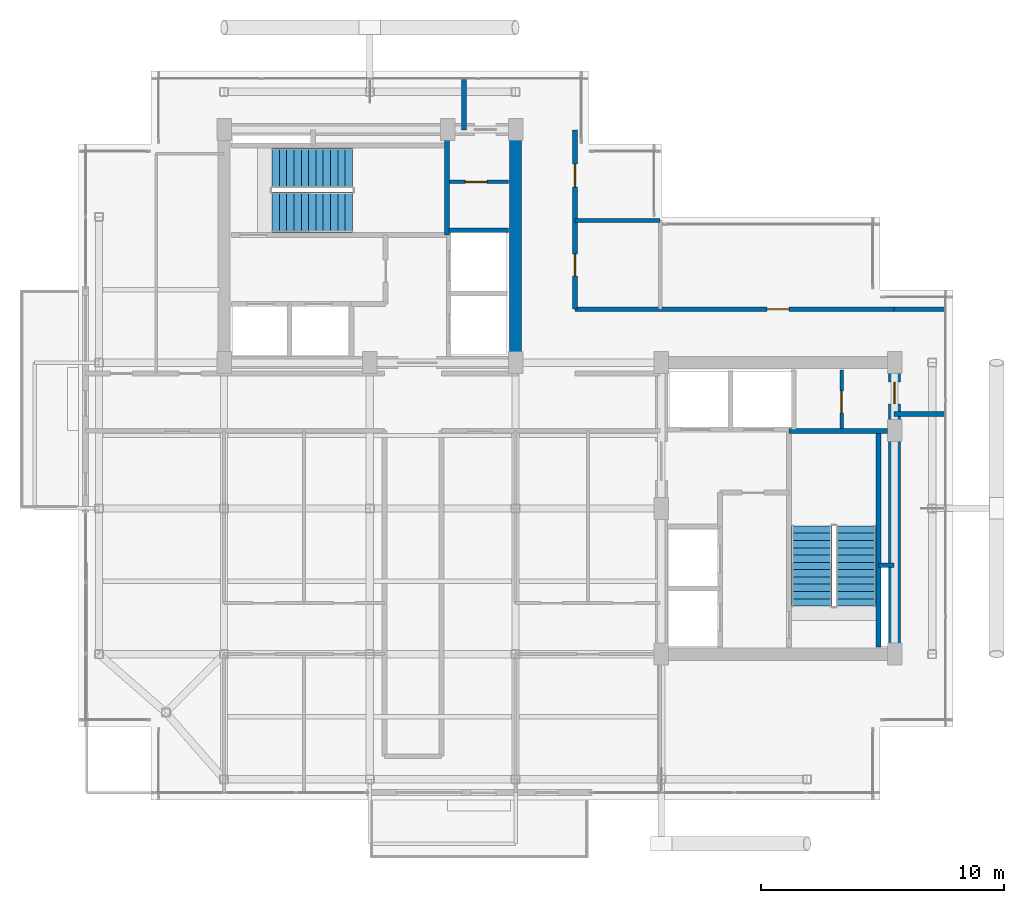
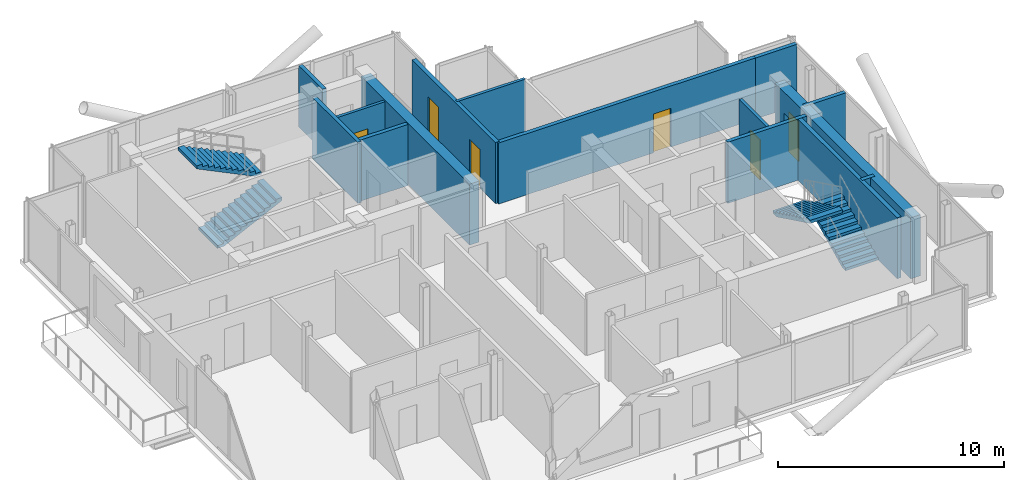
# One storey, part 16 of 18: 15 walls, 6 doors, 4 stair flights, 6 openings, 2 elements without a shape of their own.
"""IFC4 building model written with IfcOpenShell, lengths in metres."""

from ifc_helpers import new_model, si_unit, direction, frame, frame_2d, origin, place, context, subcontext, project, spatial, polyline, rectangle, outline, extrude, material, layer, layer_set, type_object, element, fill, aggregate, save


model = new_model("IFC4")

# Units and contexts
model_context = context("Model", 3, precision=1e-05, world=origin(), true_north=direction((0.0, 1.0)))
body_context = subcontext(model_context, "Body", "Model", "MODEL_VIEW")
ifc_project = project(units=[si_unit("LENGTHUNIT", "METRE"), si_unit("AREAUNIT", "SQUARE_METRE"), si_unit("VOLUMEUNIT", "CUBIC_METRE"), si_unit("PLANEANGLEUNIT", "RADIAN"), si_unit("MASSUNIT", "GRAM", prefix="KILO"), si_unit("THERMODYNAMICTEMPERATUREUNIT", "KELVIN"), si_unit("POWERUNIT", "WATT")], contexts=[model_context])

# Site, building, storey
site_placement = place(None, origin())
site = spatial("IfcSite", under=ifc_project, at=site_placement, CompositionType="ELEMENT")
building_placement = place(site_placement, origin())
building = spatial("IfcBuilding", under=site, at=building_placement, Name="Svarakhadi Broadcast Tower", CompositionType="ELEMENT")
storey_placement = place(building_placement, frame((0.0, 0.0, 253.699951171875)))
storey = spatial("IfcBuildingStorey", under=building, at=storey_placement, Name="L63", CompositionType="ELEMENT", Elevation=253.699951171875)

# Walls
ifc_material_1 = material(Name="Concrete C40/50 (IS 456 M50)", Category="concrete")
ifc_layer_1 = layer(ifc_material_1, 0.199951171875)
ifc_layer_set_1 = layer_set([ifc_layer_1], Name="Concrete C40/50 (IS 456 M50)")
wall_type_1 = type_object("IfcWallType", Name="Wall_Fire_200", PredefinedType="SOLIDWALL", material=ifc_layer_set_1)
wall_1_placement = place(storey_placement, frame((32.93994140625, 9.659912109375, 0.0), z_axis=(0.0, 0.0, 1.0), x_axis=(1.0, 0.0, 0.0)))
element("IfcWall", 1, at=wall_1_placement, inside=storey, type_object=wall_type_1, Name="L63 HV Busduct Riser Shaft North Wall", PredefinedType="SOLIDWALL", context=body_context, shape_type="SweptSolid", body=[
    extrude(rectangle(XDim=0.64013671875, YDim=0.199951171875, at=frame_2d((0.320068359375, 0.0))), origin(), (0.0, 0.0, 1.0), 3.300048828125),
])
wall_2_placement = place(storey_placement, frame((15.8798828125, 27.580078125, 0.0), z_axis=(0.0, 0.0, 1.0), x_axis=(0.0, 1.0, 0.0)))
element("IfcWall", 2, at=wall_2_placement, inside=storey, type_object=wall_type_1, Name="L63 Upper Tower Concourse Wall", PredefinedType="SOLIDWALL", context=body_context, shape_type="SweptSolid", body=[
    extrude(rectangle(XDim=2.119873046875, YDim=0.199951171875, at=frame_2d((1.06005859375, 0.0))), origin(), (0.0, 0.0, 1.0), 3.300048828125),
])

# Wall, openings, doors
wall_3_placement = place(storey_placement, frame((20.449951171875, 27.580078125, 0.0), z_axis=(0.0, 0.0, 1.0), x_axis=(0.0, -1.0, 0.0)))
wall_3 = element("IfcWall", 3, at=wall_3_placement, inside=storey, type_object=wall_type_1, Name="L63 Upper Tower Concourse Wall", PredefinedType="SOLIDWALL", context=body_context, shape_type="SweptSolid", body=[
    extrude(rectangle(XDim=7.380126953125, YDim=0.199951171875, at=frame_2d((3.68994140625, 0.0))), origin(), (0.0, 0.0, 1.0), 3.300048828125),
])
opening_1_placement = place(wall_3_placement, frame((5.10498046875, 0.0, 0.0)))
opening_1 = element("IfcOpeningElement", 4, at=opening_1_placement, cuts=wall_3, Name="Opening D-12", PredefinedType="OPENING", context=body_context, shape_type="SweptSolid", body=[
    extrude(rectangle(XDim=0.89990234375, YDim=2.10009765625, at=frame_2d((0.449951171875, 1.050048828125))), frame((0.0, 0.10986328125, 0.0), z_axis=(0.0, -1.0, 0.0), x_axis=(1.0, 0.0, 0.0)), (0.0, 0.0, 1.0), 0.219970703125),
])
opening_2_placement = place(wall_3_placement, frame((1.405029296875, 0.0, 0.0)))
opening_2 = element("IfcOpeningElement", 5, at=opening_2_placement, cuts=wall_3, Name="Opening D-07", PredefinedType="OPENING", context=body_context, shape_type="SweptSolid", body=[
    extrude(rectangle(XDim=0.949951171875, YDim=2.14990234375, at=frame_2d((0.47509765625, 1.074951171875))), frame((0.0, 0.10986328125, 0.0), z_axis=(0.0, -1.0, 0.0), x_axis=(1.0, 0.0, 0.0)), (0.0, 0.0, 1.0), 0.219970703125),
])
ifc_material_2 = material(Name="Solid-Core Teak Veneer Acoustic Timber Leaf", Category="wood")
door_type_1 = type_object("IfcDoorType", Name="Door_Office_D07", OperationType="SINGLE_SWING_RIGHT", PredefinedType="DOOR", material=ifc_material_2)
door_1_placement = place(opening_2_placement, origin())
door_1 = element("IfcDoor", 6, at=door_1_placement, inside=storey, type_object=door_type_1, Name="L63 Hotel Butler Service Pantry Door", OperationType="SINGLE_SWING_RIGHT", OverallHeight=2.14990234375, OverallWidth=0.949951171875, PredefinedType="DOOR", context=body_context, shape_type="SweptSolid", body=[
    extrude(rectangle(XDim=0.949951171875, YDim=2.14990234375, at=frame_2d((0.47509765625, 1.074951171875))), frame((0.0, 0.02490234375, 0.0), z_axis=(0.0, -1.0, 0.0), x_axis=(1.0, 0.0, 0.0)), (0.0, 0.0, 1.0), 0.050048828125),
])
fill(opening_2, door_1)
door_type_2 = type_object("IfcDoorType", Name="Door_WC_D01", OperationType="SINGLE_SWING_LEFT", PredefinedType="DOOR", material=ifc_material_2)
door_2_placement = place(opening_1_placement, origin())
door_2 = element("IfcDoor", 7, at=door_2_placement, inside=storey, type_object=door_type_2, Name="L63 Accessible Visitor Washroom WC Door", OperationType="SINGLE_SWING_LEFT", OverallHeight=2.10009765625, OverallWidth=0.89990234375, PredefinedType="DOOR", context=body_context, shape_type="SweptSolid", body=[
    extrude(rectangle(XDim=0.89990234375, YDim=2.10009765625, at=frame_2d((0.449951171875, 1.050048828125))), frame((0.0, 0.02490234375, 0.0), z_axis=(0.0, -1.0, 0.0), x_axis=(1.0, 0.0, 0.0)), (0.0, 0.0, 1.0), 0.050048828125),
])
fill(opening_1, door_2)

# Wall, opening, door
wall_4_placement = place(storey_placement, frame((20.449951171875, 20.199951171875, 0.0), z_axis=(0.0, 0.0, 1.0), x_axis=(1.0, 0.0, 0.0)))
wall_4 = element("IfcWall", 8, at=wall_4_placement, inside=storey, type_object=wall_type_1, Name="L63 Upper Tower Concourse Wall", PredefinedType="SOLIDWALL", context=body_context, shape_type="SweptSolid", body=[
    extrude(rectangle(XDim=13.130126953125, YDim=0.199951171875, at=frame_2d((6.56494140625, 0.0))), origin(), (0.0, 0.0, 1.0), 3.300048828125),
])
opening_3_placement = place(wall_4_placement, frame((7.89990234375, 0.0, 0.0)))
opening_3 = element("IfcOpeningElement", 9, at=opening_3_placement, cuts=wall_4, Name="Opening D-14", PredefinedType="OPENING", context=body_context, shape_type="SweptSolid", body=[
    extrude(rectangle(XDim=0.89990234375, YDim=2.10009765625, at=frame_2d((0.449951171875, 1.050048828125))), frame((0.0, 0.10986328125, 0.0), z_axis=(0.0, -1.0, 0.0), x_axis=(1.0, 0.0, 0.0)), (0.0, 0.0, 1.0), 0.219970703125),
])
door_type_3 = type_object("IfcDoorType", Name="Door_Int_D14", OperationType="SINGLE_SWING_LEFT", PredefinedType="DOOR", material=ifc_material_2)
door_3_placement = place(opening_3_placement, origin())
door_3 = element("IfcDoor", 10, at=door_3_placement, inside=storey, type_object=door_type_3, Name="L63 Harbour Sky Club Reading Room Door", OperationType="SINGLE_SWING_LEFT", OverallHeight=2.10009765625, OverallWidth=0.89990234375, PredefinedType="DOOR", context=body_context, shape_type="SweptSolid", body=[
    extrude(rectangle(XDim=0.89990234375, YDim=2.10009765625, at=frame_2d((0.449951171875, 1.050048828125))), frame((0.0, 0.02490234375, 0.0), z_axis=(0.0, -1.0, 0.0), x_axis=(1.0, 0.0, 0.0)), (0.0, 0.0, 1.0), 0.050048828125),
])
fill(opening_3, door_3)

# Walls
for number, where, z_axis, x_axis, name in (
    (11, (33.580078125, 20.199951171875, 0.0), (0.0, 0.0, 1.0), (1.0, 0.0, 0.0), "L63 Upper Tower Concourse Wall"),
    (12, (35.699951171875, 15.8798828125, 0.0), (0.0, 0.0, 1.0), (-1.0, 0.0, 0.0), "L63 Upper Tower Concourse Wall"),
):
    element("IfcWall", number, at=place(storey_placement, frame(where, z_axis=z_axis, x_axis=x_axis)), inside=storey, type_object=wall_type_1, Name=name, PredefinedType="SOLIDWALL", context=body_context, shape_type="SweptSolid", body=[
        extrude(rectangle(XDim=2.119873046875, YDim=0.199951171875, at=frame_2d((1.06005859375, 0.0))), origin(), (0.0, 0.0, 1.0), 3.300048828125),
    ])

# Wall, opening, door
ifc_material_3 = material(Name="Autoclaved Aerated Concrete Blockwork 150 mm", Category="masonry")
ifc_layer_2 = layer(ifc_material_3, 0.14990234375)
ifc_layer_set_2 = layer_set([ifc_layer_2], Name="Autoclaved Aerated Concrete Blockwork 150 mm")
wall_type_2 = type_object("IfcWallType", Name="Wall_Part_150", PredefinedType="PARTITIONING", material=ifc_layer_set_2)
wall_5_placement = place(storey_placement, frame((15.280029296875, 25.43994140625, 0.0), z_axis=(0.0, 0.0, 1.0), x_axis=(1.0, 0.0, 0.0)))
wall_5 = element("IfcWall", 13, at=wall_5_placement, inside=storey, type_object=wall_type_2, Name="L63 West Core Dual Store Wall", PredefinedType="PARTITIONING", context=body_context, shape_type="SweptSolid", body=[
    extrude(rectangle(XDim=2.419921875, YDim=0.14990234375, at=frame_2d((1.2099609375, 0.0))), origin(), (0.0, 0.0, 1.0), 3.300048828125),
])
opening_4_placement = place(wall_5_placement, frame((0.64990234375, 0.0, 0.0)))
opening_4 = element("IfcOpeningElement", 14, at=opening_4_placement, cuts=wall_5, Name="Opening D-04", PredefinedType="OPENING", context=body_context, shape_type="SweptSolid", body=[
    extrude(rectangle(XDim=0.89990234375, YDim=2.14990234375, at=frame_2d((0.449951171875, 1.074951171875))), frame((0.0, 0.0849609375, 0.0), z_axis=(0.0, -1.0, 0.0), x_axis=(1.0, 0.0, 0.0)), (0.0, 0.0, 1.0), 0.169921875),
])
ifc_material_4 = material(Name="Galvanised Powder-Coated Fire-Rated Steel Leaf", Category="steel")
door_type_4 = type_object("IfcDoorType", Name="Door_Fire_D04", OperationType="SINGLE_SWING_RIGHT", PredefinedType="DOOR", material=ifc_material_4)
door_4_placement = place(opening_4_placement, origin())
door_4 = element("IfcDoor", 15, at=door_4_placement, inside=storey, type_object=door_type_4, Name="L63 West Core Store B Door", OperationType="SINGLE_SWING_RIGHT", OverallHeight=2.14990234375, OverallWidth=0.89990234375, PredefinedType="DOOR", context=body_context, shape_type="SweptSolid", body=[
    extrude(rectangle(XDim=0.89990234375, YDim=2.14990234375, at=frame_2d((0.449951171875, 1.074951171875))), frame((0.0, 0.02490234375, 0.0), z_axis=(0.0, -1.0, 0.0), x_axis=(1.0, 0.0, 0.0)), (0.0, 0.0, 1.0), 0.050048828125),
])
fill(opening_4, door_4)

wall_6_placement = place(storey_placement, frame((31.419921875, 15.280029296875, 0.0), z_axis=(0.0, 0.0, 1.0), x_axis=(0.0, 1.0, 0.0)))
wall_6 = element("IfcWall", 16, at=wall_6_placement, inside=storey, type_object=wall_type_2, Name="L63 East Core Dual Store Wall", PredefinedType="PARTITIONING", context=body_context, shape_type="SweptSolid", body=[
    extrude(rectangle(XDim=2.419921875, YDim=0.14990234375, at=frame_2d((1.2099609375, 0.0))), origin(), (0.0, 0.0, 1.0), 3.300048828125),
])
opening_5_placement = place(wall_6_placement, frame((0.64990234375, 0.0, 0.0)))
opening_5 = element("IfcOpeningElement", 17, at=opening_5_placement, cuts=wall_6, Name="Opening D-03", PredefinedType="OPENING", context=body_context, shape_type="SweptSolid", body=[
    extrude(rectangle(XDim=0.89990234375, YDim=2.14990234375, at=frame_2d((0.449951171875, 1.074951171875))), frame((0.0, 0.0849609375, 0.0), z_axis=(0.0, -1.0, 0.0), x_axis=(1.0, 0.0, 0.0)), (0.0, 0.0, 1.0), 0.169921875),
])
door_type_5 = type_object("IfcDoorType", Name="Door_Fire_D03", OperationType="SINGLE_SWING_LEFT", PredefinedType="DOOR", material=ifc_material_4)
door_5_placement = place(opening_5_placement, origin())
door_5 = element("IfcDoor", 18, at=door_5_placement, inside=storey, type_object=door_type_5, Name="L63 East Core Store B Door", OperationType="SINGLE_SWING_LEFT", OverallHeight=2.14990234375, OverallWidth=0.89990234375, PredefinedType="DOOR", context=body_context, shape_type="SweptSolid", body=[
    extrude(rectangle(XDim=0.89990234375, YDim=2.14990234375, at=frame_2d((0.449951171875, 1.074951171875))), frame((0.0, 0.02490234375, 0.0), z_axis=(0.0, -1.0, 0.0), x_axis=(1.0, 0.0, 0.0)), (0.0, 0.0, 1.0), 0.050048828125),
])
fill(opening_5, door_5)

# Walls
wall_7_placement = place(storey_placement, frame((20.449951171875, 23.85009765625, 0.0), z_axis=(0.0, 0.0, 1.0), x_axis=(1.0, 0.0, 0.0)))
element("IfcWall", 19, at=wall_7_placement, inside=storey, type_object=wall_type_2, Name="L63 Accessible Visitor Washroom WC Wall", PredefinedType="PARTITIONING", context=body_context, shape_type="SweptSolid", body=[
    extrude(rectangle(XDim=3.5, YDim=0.14990234375, at=frame_2d((1.75, 0.0))), origin(), (0.0, 0.0, 1.0), 3.300048828125),
])
ifc_material_5 = material(Name="Concrete C50/60 (IS 456 M60)", Category="concrete")
ifc_layer_3 = layer(ifc_material_5, 0.199951171875)
ifc_layer_set_3 = layer_set([ifc_layer_3], Name="Concrete C50/60 (IS 456 M60)")
wall_type_3 = type_object("IfcWallType", Name="Wall_Shear_200", PredefinedType="SHEAR", material=ifc_layer_set_3)
wall_8_placement = place(storey_placement, frame((15.179931640625, 23.260009765625, 0.0), z_axis=(0.0, 0.0, 1.0), x_axis=(0.0, 1.0, 0.0)))
element("IfcWall", 20, at=wall_8_placement, inside=storey, type_object=wall_type_3, Name="L63 Stair ST-01 East RC Shaft Wall", PredefinedType="SHEAR", context=body_context, shape_type="SweptSolid", body=[
    extrude(rectangle(XDim=4.0400390625, YDim=0.199951171875, at=frame_2d((2.02001953125, 0.0))), origin(), (0.0, 0.0, 1.0), 3.300048828125),
])
wall_9_placement = place(storey_placement, frame((32.93994140625, 6.300048828125, 0.0), z_axis=(0.0, 0.0, 1.0), x_axis=(0.0, 1.0, 0.0)))
element("IfcWall", 21, at=wall_9_placement, inside=storey, type_object=wall_type_3, Name="L63 Stair ST-02 East RC Shaft Wall", PredefinedType="SHEAR", context=body_context, shape_type="SweptSolid", body=[
    extrude(rectangle(XDim=8.8798828125, YDim=0.199951171875, at=frame_2d((4.43994140625, 0.0))), origin(), (0.0, 0.0, 1.0), 3.300048828125),
])
wall_10_placement = place(storey_placement, frame((29.260009765625, 15.179931640625, 0.0), z_axis=(0.0, 0.0, 1.0), x_axis=(1.0, 0.0, 0.0)))
element("IfcWall", 22, at=wall_10_placement, inside=storey, type_object=wall_type_3, Name="L63 Stair ST-02 North RC Shaft Wall", PredefinedType="SHEAR", context=body_context, shape_type="SweptSolid", body=[
    extrude(rectangle(XDim=4.0400390625, YDim=0.199951171875, at=frame_2d((2.02001953125, 0.0))), origin(), (0.0, 0.0, 1.0), 3.300048828125),
])
wall_11_placement = place(storey_placement, frame((15.25, 23.449951171875, 0.0), z_axis=(0.0, 0.0, 1.0), x_axis=(1.0, 0.0, 0.0)))
element("IfcWall", 23, at=wall_11_placement, inside=storey, type_object=wall_type_3, Name="L63 High-Rise Lift LF-13/14 North Wall", PredefinedType="SHEAR", context=body_context, shape_type="SweptSolid", body=[
    extrude(rectangle(XDim=2.449951171875, YDim=0.199951171875, at=frame_2d((1.22509765625, 0.0))), origin(), (0.0, 0.0, 1.0), 3.300048828125),
])
ifc_layer_4 = layer(ifc_material_5, 0.5)
ifc_layer_set_4 = layer_set([ifc_layer_4], Name="Concrete C50/60 (IS 456 M60)")
wall_type_4 = type_object("IfcWallType", Name="Wall_Shear_500", PredefinedType="SHEAR", material=ifc_layer_set_4)
wall_12_placement = place(storey_placement, frame((18.0, 18.0, 0.0), z_axis=(0.0, 0.0, 1.0), x_axis=(0.0, 1.0, 0.0)))
element("IfcWall", 24, at=wall_12_placement, inside=storey, type_object=wall_type_4, Name="L63 West Core East Shear Wall", PredefinedType="SHEAR", context=body_context, shape_type="SweptSolid", body=[
    extrude(rectangle(XDim=9.60009765625, YDim=0.5, at=frame_2d((4.800048828125, 0.0))), origin(), (0.0, 0.0, 1.0), 3.300048828125),
])

# Wall, opening, door
wall_13_placement = place(storey_placement, frame((33.60009765625, 6.0, 0.0), z_axis=(0.0, 0.0, 1.0), x_axis=(0.0, 1.0, 0.0)))
wall_13 = element("IfcWall", 25, at=wall_13_placement, inside=storey, type_object=wall_type_4, Name="L63 East Core East Shear Wall", PredefinedType="SHEAR", context=body_context, shape_type="SweptSolid", body=[
    extrude(rectangle(XDim=12.0, YDim=0.5, at=frame_2d((6.0, 0.0))), origin(), (0.0, 0.0, 1.0), 3.300048828125),
])
opening_6_placement = place(wall_13_placement, frame((10.300048828125, 0.0, 0.0)))
opening_6 = element("IfcOpeningElement", 26, at=opening_6_placement, cuts=wall_13, Name="Opening D-03", PredefinedType="OPENING", context=body_context, shape_type="SweptSolid", body=[
    extrude(rectangle(XDim=0.89990234375, YDim=2.14990234375, at=frame_2d((0.449951171875, 1.074951171875))), frame((0.0, 0.260009765625, 0.0), z_axis=(0.0, -1.0, 0.0), x_axis=(1.0, 0.0, 0.0)), (0.0, 0.0, 1.0), 0.52001953125),
])
door_6_placement = place(opening_6_placement, origin())
door_6 = element("IfcDoor", 27, at=door_6_placement, inside=storey, type_object=door_type_5, Name="L63 East Core Store A Door", OperationType="SINGLE_SWING_LEFT", OverallHeight=2.14990234375, OverallWidth=0.89990234375, PredefinedType="DOOR", context=body_context, shape_type="SweptSolid", body=[
    extrude(rectangle(XDim=0.89990234375, YDim=2.14990234375, at=frame_2d((0.449951171875, 1.074951171875))), frame((0.0, 0.02490234375, 0.0), z_axis=(0.0, -1.0, 0.0), x_axis=(1.0, 0.0, 0.0)), (0.0, 0.0, 1.0), 0.050048828125),
])
fill(opening_6, door_6)

# Stair, stair flights
stair_type = type_object("IfcStairType", Name="Stair_Exit_Core", PredefinedType="HALF_TURN_STAIR", material=ifc_material_1)
stair_1_placement = place(storey_placement, origin())
stair_1 = element("IfcStair", 28, at=stair_1_placement, inside=storey, type_object=stair_type, Name="L63 West Core Protected Exit Stair ST-01", PredefinedType="HALF_TURN_STAIR")
stair_flight_type = type_object("IfcStairFlightType", Name="Flight_RC_1680", PredefinedType="STRAIGHT", material=ifc_material_1)
stair_flight_1_placement = place(storey_placement, frame((7.97998046875, 24.18994140625, 0.0), z_axis=(0.0, 0.0, 1.0), x_axis=(1.0, 0.0, 0.0)))
stair_flight_1 = element("IfcStairFlight", 29, at=stair_flight_1_placement, type_object=stair_flight_type, Name="ST-01 flight 1", NumberOfRisers=12, NumberOfTreads=11, PredefinedType="STRAIGHT", RiserHeight=0.145833333, TreadLength=0.3, context=body_context, shape_type="SweptSolid", body=[
    extrude(outline(polyline([(0.0, 0.0), (0.0, 0.145751953125), (0.300048828125, 0.145751953125), (0.300048828125, 0.291748046875), (0.60009765625, 0.291748046875), (0.60009765625, 0.4375), (0.89990234375, 0.4375), (0.89990234375, 0.583251953125), (1.199951171875, 0.583251953125), (1.199951171875, 0.729248046875), (1.5, 0.729248046875), (1.5, 0.875), (1.800048828125, 0.875), (1.800048828125, 1.020751953125), (2.10009765625, 1.020751953125), (2.10009765625, 1.166748046875), (2.39990234375, 1.166748046875), (2.39990234375, 1.3125), (2.699951171875, 1.3125), (2.699951171875, 1.458251953125), (3.0, 1.458251953125), (3.0, 1.604248046875), (3.300048828125, 1.604248046875), (3.300048828125, 1.75), (3.300048828125, 1.4375), (0.3427734375, 0.0), (0.0, 0.0)])), frame((0.0, 0.830078125, 0.0), z_axis=(0.0, -1.0, 0.0), x_axis=(1.0, 0.0, 0.0)), (0.0, 0.0, 1.0), 1.659912109375),
])
stair_flight_2_placement = place(storey_placement, frame((11.280029296875, 26.010009765625, 1.75), z_axis=(0.0, 0.0, 1.0), x_axis=(-1.0, 0.0, 0.0)))
stair_flight_2 = element("IfcStairFlight", 30, at=stair_flight_2_placement, type_object=stair_flight_type, Name="ST-01 flight 2", NumberOfRisers=12, NumberOfTreads=11, PredefinedType="STRAIGHT", RiserHeight=0.145833333, TreadLength=0.3, context=body_context, shape_type="SweptSolid", body=[
    extrude(outline(polyline([(0.0, 0.0), (0.0, 0.145751953125), (0.300048828125, 0.145751953125), (0.300048828125, 0.291748046875), (0.60009765625, 0.291748046875), (0.60009765625, 0.4375), (0.89990234375, 0.4375), (0.89990234375, 0.583251953125), (1.199951171875, 0.583251953125), (1.199951171875, 0.729248046875), (1.5, 0.729248046875), (1.5, 0.875), (1.800048828125, 0.875), (1.800048828125, 1.020751953125), (2.10009765625, 1.020751953125), (2.10009765625, 1.166748046875), (2.39990234375, 1.166748046875), (2.39990234375, 1.3125), (2.699951171875, 1.3125), (2.699951171875, 1.458251953125), (3.0, 1.458251953125), (3.0, 1.604248046875), (3.300048828125, 1.604248046875), (3.300048828125, 1.75), (3.300048828125, 1.4375), (0.3427734375, 0.0), (0.0, 0.0)])), frame((0.0, 0.830078125, 0.0), z_axis=(0.0, -1.0, 0.0), x_axis=(1.0, 0.0, 0.0)), (0.0, 0.0, 1.0), 1.659912109375),
])
aggregate(stair_1, [stair_flight_1, stair_flight_2])

stair_2_placement = place(storey_placement, origin())
stair_2 = element("IfcStair", 31, at=stair_2_placement, inside=storey, type_object=stair_type, Name="L63 East Core Protected Exit Stair ST-02", PredefinedType="HALF_TURN_STAIR")
stair_flight_3_placement = place(storey_placement, frame((32.010009765625, 7.97998046875, 0.0), z_axis=(0.0, 0.0, 1.0), x_axis=(0.0, 1.0, 0.0)))
stair_flight_3 = element("IfcStairFlight", 32, at=stair_flight_3_placement, type_object=stair_flight_type, Name="ST-02 flight 1", NumberOfRisers=12, NumberOfTreads=11, PredefinedType="STRAIGHT", RiserHeight=0.145833333, TreadLength=0.3, context=body_context, shape_type="SweptSolid", body=[
    extrude(outline(polyline([(0.0, 0.0), (0.0, 0.145751953125), (0.300048828125, 0.145751953125), (0.300048828125, 0.291748046875), (0.60009765625, 0.291748046875), (0.60009765625, 0.4375), (0.89990234375, 0.4375), (0.89990234375, 0.583251953125), (1.199951171875, 0.583251953125), (1.199951171875, 0.729248046875), (1.5, 0.729248046875), (1.5, 0.875), (1.800048828125, 0.875), (1.800048828125, 1.020751953125), (2.10009765625, 1.020751953125), (2.10009765625, 1.166748046875), (2.39990234375, 1.166748046875), (2.39990234375, 1.3125), (2.699951171875, 1.3125), (2.699951171875, 1.458251953125), (3.0, 1.458251953125), (3.0, 1.604248046875), (3.300048828125, 1.604248046875), (3.300048828125, 1.75), (3.300048828125, 1.4375), (0.3427734375, 0.0), (0.0, 0.0)])), frame((0.0, 0.830078125, 0.0), z_axis=(0.0, -1.0, 0.0), x_axis=(1.0, 0.0, 0.0)), (0.0, 0.0, 1.0), 1.659912109375),
])
stair_flight_4_placement = place(storey_placement, frame((30.18994140625, 11.280029296875, 1.75), z_axis=(0.0, 0.0, 1.0), x_axis=(0.0, -1.0, 0.0)))
stair_flight_4 = element("IfcStairFlight", 33, at=stair_flight_4_placement, type_object=stair_flight_type, Name="ST-02 flight 2", NumberOfRisers=12, NumberOfTreads=11, PredefinedType="STRAIGHT", RiserHeight=0.145833333, TreadLength=0.3, context=body_context, shape_type="SweptSolid", body=[
    extrude(outline(polyline([(0.0, 0.0), (0.0, 0.145751953125), (0.300048828125, 0.145751953125), (0.300048828125, 0.291748046875), (0.60009765625, 0.291748046875), (0.60009765625, 0.4375), (0.89990234375, 0.4375), (0.89990234375, 0.583251953125), (1.199951171875, 0.583251953125), (1.199951171875, 0.729248046875), (1.5, 0.729248046875), (1.5, 0.875), (1.800048828125, 0.875), (1.800048828125, 1.020751953125), (2.10009765625, 1.020751953125), (2.10009765625, 1.166748046875), (2.39990234375, 1.166748046875), (2.39990234375, 1.3125), (2.699951171875, 1.3125), (2.699951171875, 1.458251953125), (3.0, 1.458251953125), (3.0, 1.604248046875), (3.300048828125, 1.604248046875), (3.300048828125, 1.75), (3.300048828125, 1.4375), (0.3427734375, 0.0), (0.0, 0.0)])), frame((0.0, 0.830078125, 0.0), z_axis=(0.0, -1.0, 0.0), x_axis=(1.0, 0.0, 0.0)), (0.0, 0.0, 1.0), 1.659912109375),
])
aggregate(stair_2, [stair_flight_3, stair_flight_4])

save(model, "model.ifc")
